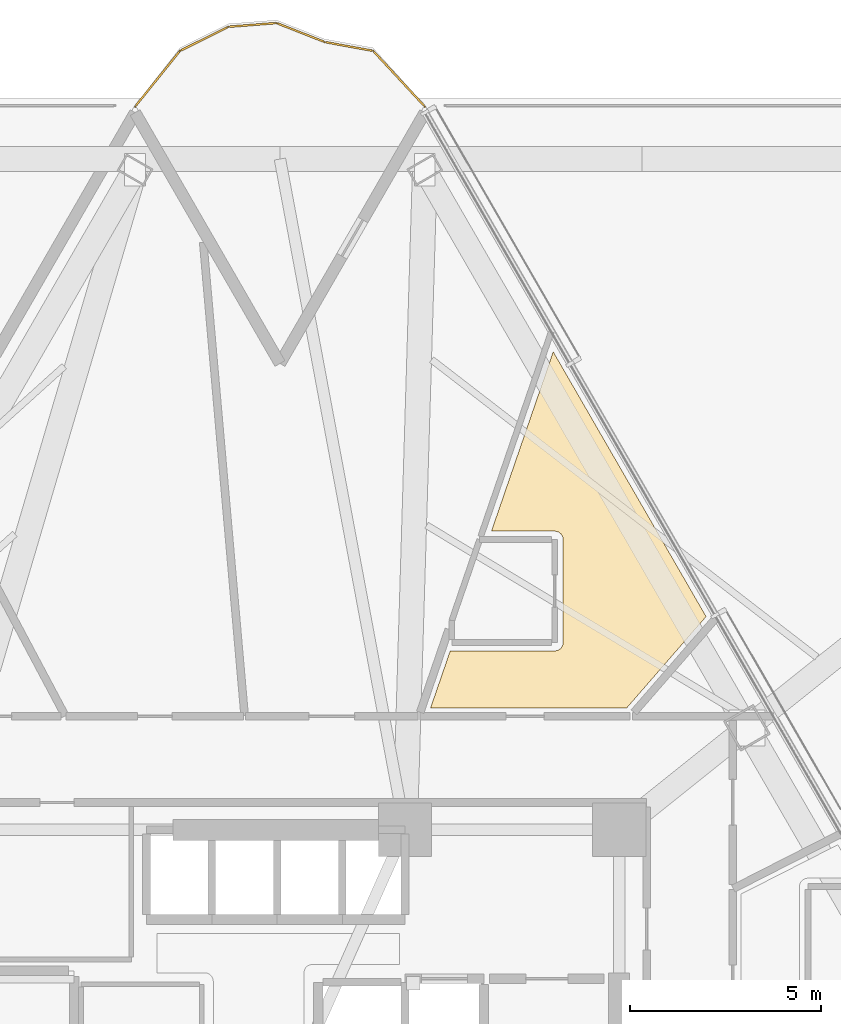
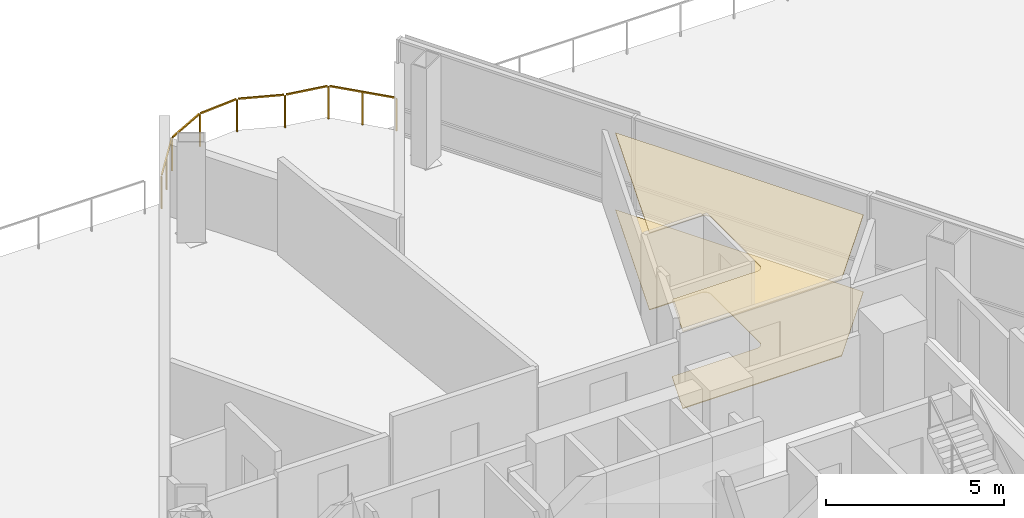
# One storey, part 19 of 19: 2 coverings, 1 railing.
"""IFC4 building model written with IfcOpenShell, lengths in metres."""

from ifc_helpers import new_model, si_unit, direction, frame, origin, origin_2d, place, context, subcontext, project, spatial, polyline, rectangle, outline, extrude, material, layer, layer_set, type_object, element, save


model = new_model("IFC4")

# Units and contexts
model_context = context("Model", 3, precision=1e-05, world=origin(), true_north=direction((0.0, 1.0)))
body_context = subcontext(model_context, "Body", "Model", "MODEL_VIEW")
ifc_project = project(units=[si_unit("LENGTHUNIT", "METRE"), si_unit("AREAUNIT", "SQUARE_METRE"), si_unit("VOLUMEUNIT", "CUBIC_METRE"), si_unit("PLANEANGLEUNIT", "RADIAN"), si_unit("MASSUNIT", "GRAM", prefix="KILO")], contexts=[model_context])

# Site, building, storey
site_placement = place(None, origin())
site = spatial("IfcSite", under=ifc_project, at=site_placement, CompositionType="ELEMENT")
building_placement = place(site_placement, origin())
building = spatial("IfcBuilding", under=site, at=building_placement, Name="Tharavind Bronze Gate", CompositionType="ELEMENT")
storey_placement = place(building_placement, frame((0.0, 0.0, 31.800048828125)))
storey = spatial("IfcBuildingStorey", under=building, at=storey_placement, Name="L06", CompositionType="ELEMENT", Elevation=31.800048828125)

# Coverings
ifc_material_1 = material(Name="Engineered Oak & Carpet Tile", Category="wood")
ifc_layer_1 = layer(ifc_material_1, 0.02490234375)
ifc_layer_set_1 = layer_set([ifc_layer_1], Name="Engineered Oak & Carpet Tile")
covering_type_1 = type_object("IfcCoveringType", Name="ENGINEERED TIMBER FLOORING", PredefinedType="FLOORING", material=ifc_layer_set_1)
covering_1_placement = place(storey_placement, origin())
element("IfcCovering", 1, at=covering_1_placement, inside=storey, type_object=covering_type_1, Name="L06-RM-03 floor finish", PredefinedType="FLOORING", context=body_context, shape_type="SweptSolid", body=[
    extrude(outline(polyline([(9.0966796875, 10.800048828125), (11.1796875, 13.1962890625), (7.168701171875, 20.1435546875), (5.548095703125, 15.43701171875), (7.208251953125, 15.43701171875), (7.22998046875, 15.43603515625), (7.251220703125, 15.432861328125), (7.272216796875, 15.427490234375), (7.29248046875, 15.42041015625), (7.31201171875, 15.4111328125), (7.33056640625, 15.39990234375), (7.347900390625, 15.38720703125), (7.364013671875, 15.37255859375), (7.37841796875, 15.356689453125), (7.391357421875, 15.33935546875), (7.40234375, 15.32080078125), (7.41162109375, 15.30126953125), (7.4189453125, 15.281005859375), (7.424072265625, 15.260009765625), (7.42724609375, 15.238525390625), (7.42822265625, 15.217041015625), (7.42822265625, 12.51708984375), (7.42724609375, 12.49560546875), (7.424072265625, 12.47412109375), (7.4189453125, 12.453125), (7.41162109375, 12.432861328125), (7.40234375, 12.413330078125), (7.391357421875, 12.39501953125), (7.37841796875, 12.37744140625), (7.364013671875, 12.361572265625), (7.347900390625, 12.346923828125), (7.33056640625, 12.334228515625), (7.31201171875, 12.322998046875), (7.29248046875, 12.313720703125), (7.272216796875, 12.306396484375), (7.251220703125, 12.30126953125), (7.22998046875, 12.298095703125), (7.208251953125, 12.297119140625), (4.50830078125, 12.297119140625), (4.48681640625, 12.298095703125), (4.46826171875, 12.30078125), (3.951416015625, 10.800048828125), (9.0966796875, 10.800048828125)])), origin(), (0.0, 0.0, 1.0), 0.02490234375),
])
ifc_material_2 = material(Name="Acoustic Gypsum Board", Category="gypsum")
ifc_layer_2 = layer(ifc_material_2, 0.030029296875)
ifc_layer_set_2 = layer_set([ifc_layer_2], Name="Acoustic Gypsum Board")
covering_type_2 = type_object("IfcCoveringType", Name="GYPSUM SUSPENDED CEILING", PredefinedType="CEILING", material=ifc_layer_set_2)
covering_2_placement = place(storey_placement, frame((0.0, 0.0, 2.625)))
element("IfcCovering", 2, at=covering_2_placement, inside=storey, type_object=covering_type_2, Name="L06-RM-03 suspended ceiling", PredefinedType="CEILING", context=body_context, shape_type="SweptSolid", body=[
    extrude(outline(polyline([(9.0966796875, 10.800048828125), (11.1796875, 13.1962890625), (7.168701171875, 20.1435546875), (5.548095703125, 15.43701171875), (7.208251953125, 15.43701171875), (7.22998046875, 15.43603515625), (7.251220703125, 15.432861328125), (7.272216796875, 15.427490234375), (7.29248046875, 15.42041015625), (7.31201171875, 15.4111328125), (7.33056640625, 15.39990234375), (7.347900390625, 15.38720703125), (7.364013671875, 15.37255859375), (7.37841796875, 15.356689453125), (7.391357421875, 15.33935546875), (7.40234375, 15.32080078125), (7.41162109375, 15.30126953125), (7.4189453125, 15.281005859375), (7.424072265625, 15.260009765625), (7.42724609375, 15.238525390625), (7.42822265625, 15.217041015625), (7.42822265625, 12.51708984375), (7.42724609375, 12.49560546875), (7.424072265625, 12.47412109375), (7.4189453125, 12.453125), (7.41162109375, 12.432861328125), (7.40234375, 12.413330078125), (7.391357421875, 12.39501953125), (7.37841796875, 12.37744140625), (7.364013671875, 12.361572265625), (7.347900390625, 12.346923828125), (7.33056640625, 12.334228515625), (7.31201171875, 12.322998046875), (7.29248046875, 12.313720703125), (7.272216796875, 12.306396484375), (7.251220703125, 12.30126953125), (7.22998046875, 12.298095703125), (7.208251953125, 12.297119140625), (4.50830078125, 12.297119140625), (4.48681640625, 12.298095703125), (4.46826171875, 12.30078125), (3.951416015625, 10.800048828125), (9.0966796875, 10.800048828125)])), origin(), (0.0, 0.0, 1.0), 0.034912109375),
])

# Railing
ifc_material_3 = material(Name="Bronze Cap & Laminated Glass", Category="glass")
railing_type = type_object("IfcRailingType", Name="TERRACE GLASS GUARD RAILING 1150", PredefinedType="GUARDRAIL", material=ifc_material_3)
railing_placement = place(storey_placement, frame((-3.800048828125, 26.578125, 0.0)))
element("IfcRailing", 3, at=railing_placement, inside=storey, type_object=railing_type, Name="L06 tree balcony guard railing", PredefinedType="GUARDRAIL", context=body_context, shape_type="SweptSolid", body=[
    extrude(rectangle(XDim=0.048095703125, YDim=0.048095703125, at=origin_2d()), frame((0.02001953125, 0.02490234375, 1.1259765625), z_axis=(0.627706650624, 0.778449973192, 0.0), x_axis=(-0.778449973192, 0.627706650624, 0.0)), (0.0, 0.0, 1.0), 1.8115234375),
    extrude(rectangle(XDim=0.048095703125, YDim=0.048095703125, at=origin_2d()), frame((1.205810546875, 1.47412109375, 1.1259765625), z_axis=(0.89511626958, 0.445832775751, 0.0), x_axis=(-0.445832775751, 0.89511626958, 0.0)), (0.0, 0.0, 1.0), 1.35107421875),
    extrude(rectangle(XDim=0.048095703125, YDim=0.048095703125, at=origin_2d()), frame((2.475830078125, 2.09326171875, 1.1259765625), z_axis=(0.996951873955, 0.078018978571, 0.0), x_axis=(-0.078018978571, 0.996951873955, 0.0)), (0.0, 0.0, 1.0), 1.20654296875),
    extrude(rectangle(XDim=0.048095703125, YDim=0.048095703125, at=origin_2d()), frame((3.740234375, 2.17822265625, 1.1259765625), z_axis=(0.930539907569, -0.366190497448, 0.0), x_axis=(0.366190497448, 0.930539907569, 0.0)), (0.0, 0.0, 1.0), 1.29736328125),
    extrude(rectangle(XDim=0.048095703125, YDim=0.048095703125, at=origin_2d()), frame((5.0087890625, 1.685546875, 1.1259765625), z_axis=(0.983711769564, -0.179753037307, 0.0), x_axis=(0.179753037307, 0.983711769564, 0.0)), (0.0, 0.0, 1.0), 1.2236328125),
    extrude(rectangle(XDim=0.048095703125, YDim=0.048095703125, at=origin_2d()), frame((6.265625, 1.4365234375, 1.1259765625), z_axis=(0.680592067339, -0.732662567541, 0.0), x_axis=(0.732662567541, 0.680592067339, 0.0)), (0.0, 0.0, 1.0), 1.9287109375),
    extrude(rectangle(XDim=0.0400390625, YDim=0.0400390625, at=origin_2d()), origin(), (0.0, 0.0, 1.0), 1.097900390625),
    extrude(rectangle(XDim=0.0400390625, YDim=0.0400390625, at=origin_2d()), frame((0.588623046875, 0.72998046875, 0.0)), (0.0, 0.0, 1.0), 1.097900390625),
    extrude(rectangle(XDim=0.0400390625, YDim=0.0400390625, at=origin_2d()), frame((1.17724609375, 1.4599609375, 0.0)), (0.0, 0.0, 1.0), 1.097900390625),
    extrude(rectangle(XDim=0.0400390625, YDim=0.0400390625, at=origin_2d()), frame((2.44384765625, 2.0908203125, 0.0)), (0.0, 0.0, 1.0), 1.097900390625),
    extrude(rectangle(XDim=0.0400390625, YDim=0.0400390625, at=origin_2d()), frame((3.71044921875, 2.18994140625, 0.0)), (0.0, 0.0, 1.0), 1.097900390625),
    extrude(rectangle(XDim=0.0400390625, YDim=0.0400390625, at=origin_2d()), frame((4.977294921875, 1.69140625, 0.0)), (0.0, 0.0, 1.0), 1.097900390625),
    extrude(rectangle(XDim=0.0400390625, YDim=0.0400390625, at=origin_2d()), frame((6.243896484375, 1.4599609375, 0.0)), (0.0, 0.0, 1.0), 1.097900390625),
    extrude(rectangle(XDim=0.0400390625, YDim=0.0400390625, at=origin_2d()), frame((6.921875, 0.72998046875, 0.0)), (0.0, 0.0, 1.0), 1.097900390625),
    extrude(rectangle(XDim=0.0400390625, YDim=0.0400390625, at=origin_2d()), frame((7.60009765625, 0.0, 0.0)), (0.0, 0.0, 1.0), 1.097900390625),
])

save(model, "model.ifc")
